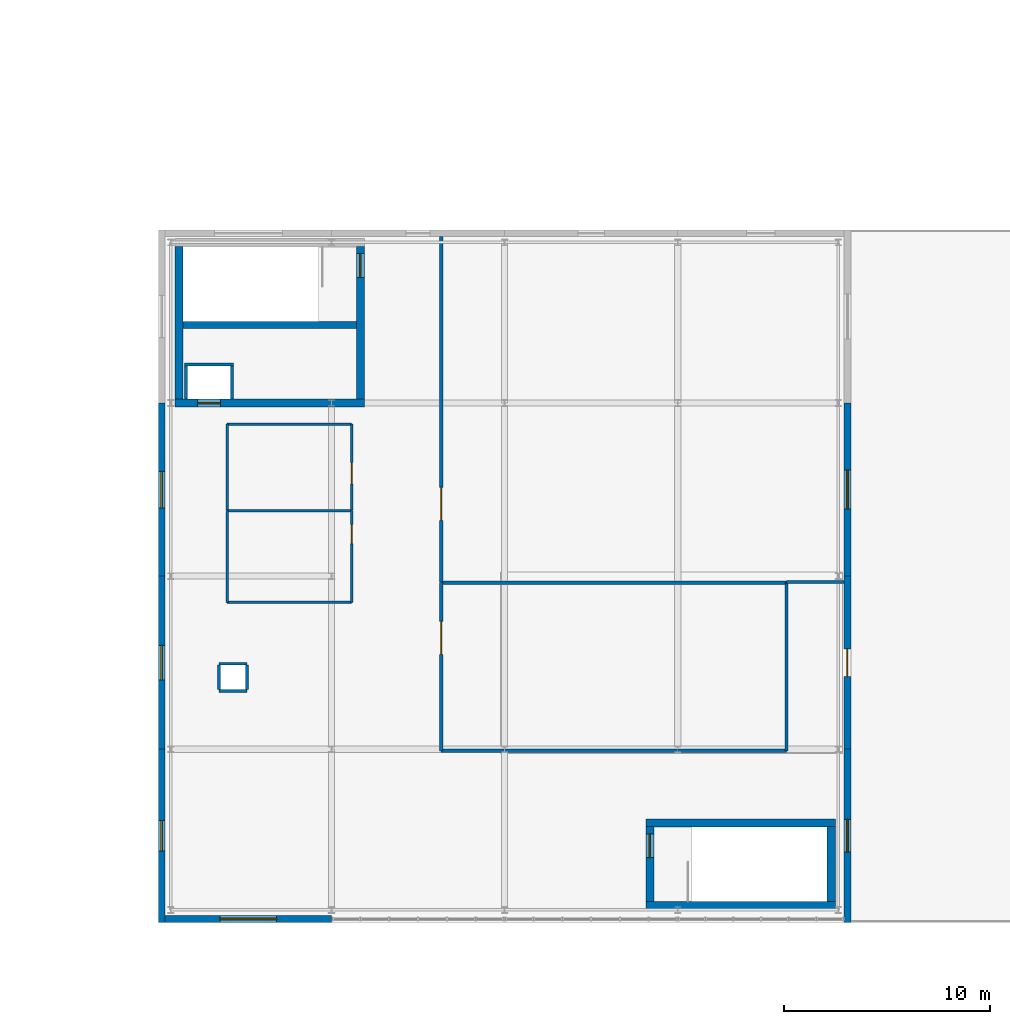
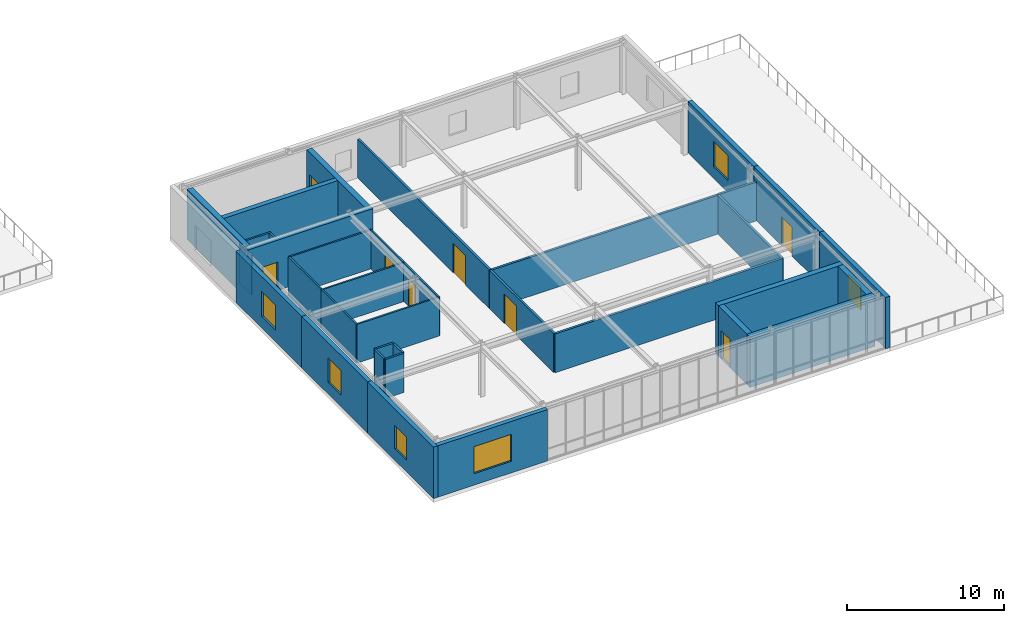
# One storey, part 111 of 127: 35 walls, 8 doors, 6 windows, 14 openings.
"""IFC4 building model written with IfcOpenShell, lengths in metres."""

from ifc_helpers import new_model, si_unit, direction, frame, frame_2d, origin, place, context, subcontext, project, spatial, rectangle, extrude, material, layer, layer_set, type_object, element, fill, save


model = new_model("IFC4")

# Units and contexts
model_context = context("Model", 3, precision=1e-05, world=origin(), true_north=direction((0.0, 1.0)))
body_context = subcontext(model_context, "Body", "Model", "MODEL_VIEW")
ifc_project = project(units=[si_unit("LENGTHUNIT", "METRE"), si_unit("AREAUNIT", "SQUARE_METRE"), si_unit("VOLUMEUNIT", "CUBIC_METRE"), si_unit("PLANEANGLEUNIT", "RADIAN"), si_unit("MASSUNIT", "GRAM", prefix="KILO")], contexts=[model_context])

# Site, building, storey
site_placement = place(None, origin())
site = spatial("IfcSite", under=ifc_project, at=site_placement, CompositionType="ELEMENT")
building_placement = place(site_placement, origin())
building = spatial("IfcBuilding", under=site, at=building_placement, Name="Zayran Congress Hotel", CompositionType="ELEMENT")
storey_placement = place(building_placement, frame((0.0, 0.0, 10.800048828125)))
storey = spatial("IfcBuildingStorey", under=building, at=storey_placement, Name="L02", CompositionType="ELEMENT", Elevation=10.800048828125)

# Wall, opening, window
ifc_material_1 = material(Name="Ajlun white limestone and insulated concrete C32/40", Category="masonry")
ifc_layer_1 = layer(ifc_material_1, 0.320068359375)
ifc_layer_set_1 = layer_set([ifc_layer_1], Name="Ajlun white limestone and insulated concrete C32/40")
wall_type_1 = type_object("IfcWallType", Name="WL-EX-320", PredefinedType="SOLIDWALL", material=ifc_layer_set_1)
wall_1_placement = place(storey_placement, frame((159.60009765625, 8.9599609375, 0.0), z_axis=(0.0, 0.0, 1.0), x_axis=(-1.0, 0.0, 0.0)))
wall_1 = element("IfcWall", 1, at=wall_1_placement, inside=storey, type_object=wall_type_1, Name="EW-V3-S-L02-0", PredefinedType="SOLIDWALL", context=body_context, shape_type="SweptSolid", body=[
    extrude(rectangle(XDim=8.080078125, YDim=0.320068359375, at=frame_2d((4.0400390625, 0.0))), origin(), (0.0, 0.0, 1.0), 4.0),
])
opening_1_placement = place(wall_1_placement, frame((2.6650390625, 0.0, 0.89990234375)))
opening_1 = element("IfcOpeningElement", 2, at=opening_1_placement, cuts=wall_1, Name="Opening WN-29", PredefinedType="OPENING", context=body_context, shape_type="SweptSolid", body=[
    extrude(rectangle(XDim=2.75, YDim=2.10009765625, at=frame_2d((1.375, 1.050048828125))), frame((0.0, 0.169921875, 0.0), z_axis=(0.0, -1.0, 0.0), x_axis=(1.0, 0.0, 0.0)), (0.0, 0.0, 1.0), 0.340087890625),
])
ifc_material_2 = material(Name="Anodised aluminium and low-E insulated glass", Category="aluminium")
window_type_1 = type_object("IfcWindowType", Name="TP-WN-29", PartitioningType="TRIPLE_PANEL_VERTICAL", PredefinedType="WINDOW", material=ifc_material_2)
window_1_placement = place(opening_1_placement, origin())
window_1 = element("IfcWindow", 3, at=window_1_placement, inside=storey, type_object=window_type_1, Name="WIN-V3-0086", OverallHeight=2.10009765625, OverallWidth=2.75, PartitioningType="SINGLE_PANEL", PredefinedType="WINDOW", context=body_context, shape_type="SweptSolid", body=[
    extrude(rectangle(XDim=2.75, YDim=2.10009765625, at=frame_2d((1.375, 1.050048828125))), frame((0.0, 0.030029296875, 0.0), z_axis=(0.0, -1.0, 0.0), x_axis=(1.0, 0.0, 0.0)), (0.0, 0.0, 1.0), 0.06005859375),
])
fill(opening_1, window_1)

wall_2_placement = place(storey_placement, frame((151.360107421875, 8.800048828125, 0.0), z_axis=(0.0, 0.0, 1.0), x_axis=(0.0, 1.0, 0.0)))
wall_2 = element("IfcWall", 4, at=wall_2_placement, inside=storey, type_object=wall_type_1, Name="EW-V3-W-L02-0", PredefinedType="SOLIDWALL", context=body_context, shape_type="SweptSolid", body=[
    extrude(rectangle(XDim=8.39990234375, YDim=0.320068359375, at=frame_2d((4.199951171875, 0.0))), origin(), (0.0, 0.0, 1.0), 4.0),
])
opening_2_placement = place(wall_2_placement, frame((3.4599609375, 0.0, 0.89990234375)))
opening_2 = element("IfcOpeningElement", 5, at=opening_2_placement, cuts=wall_2, Name="Opening WN-34", PredefinedType="OPENING", context=body_context, shape_type="SweptSolid", body=[
    extrude(rectangle(XDim=1.47998046875, YDim=1.800048828125, at=frame_2d((0.739990234375, 0.89990234375))), frame((0.0, 0.169921875, 0.0), z_axis=(0.0, -1.0, 0.0), x_axis=(1.0, 0.0, 0.0)), (0.0, 0.0, 1.0), 0.340087890625),
])
window_type_2 = type_object("IfcWindowType", Name="TP-WN-34", PartitioningType="SINGLE_PANEL", PredefinedType="WINDOW", material=ifc_material_2)
window_2_placement = place(opening_2_placement, origin())
window_2 = element("IfcWindow", 6, at=window_2_placement, inside=storey, type_object=window_type_2, Name="WIN-V3-0091", OverallHeight=1.800048828125, OverallWidth=1.47998046875, PartitioningType="SINGLE_PANEL", PredefinedType="WINDOW", context=body_context, shape_type="SweptSolid", body=[
    extrude(rectangle(XDim=1.47998046875, YDim=1.800048828125, at=frame_2d((0.739990234375, 0.89990234375))), frame((0.0, 0.030029296875, 0.0), z_axis=(0.0, -1.0, 0.0), x_axis=(1.0, 0.0, 0.0)), (0.0, 0.0, 1.0), 0.06005859375),
])
fill(opening_2, window_2)

wall_3_placement = place(storey_placement, frame((184.639892578125, 17.199951171875, 0.0), z_axis=(0.0, 0.0, 1.0), x_axis=(0.0, -1.0, 0.0)))
wall_3 = element("IfcWall", 7, at=wall_3_placement, inside=storey, type_object=wall_type_1, Name="EW-V3-E-L02-0", PredefinedType="SOLIDWALL", context=body_context, shape_type="SweptSolid", body=[
    extrude(rectangle(XDim=8.39990234375, YDim=0.320068359375, at=frame_2d((4.199951171875, 0.0))), origin(), (0.0, 0.0, 1.0), 4.0),
])
opening_3_placement = place(wall_3_placement, frame((3.409912109375, 0.0, 0.89990234375)))
opening_3 = element("IfcOpeningElement", 8, at=opening_3_placement, cuts=wall_3, Name="Opening WN-35", PredefinedType="OPENING", context=body_context, shape_type="SweptSolid", body=[
    extrude(rectangle(XDim=1.580078125, YDim=1.85009765625, at=frame_2d((0.7900390625, 0.925048828125))), frame((0.0, 0.169921875, 0.0), z_axis=(0.0, -1.0, 0.0), x_axis=(1.0, 0.0, 0.0)), (0.0, 0.0, 1.0), 0.340087890625),
])
window_type_3 = type_object("IfcWindowType", Name="TP-WN-35", PartitioningType="DOUBLE_PANEL_VERTICAL", PredefinedType="WINDOW", material=ifc_material_2)
window_3_placement = place(opening_3_placement, origin())
window_3 = element("IfcWindow", 9, at=window_3_placement, inside=storey, type_object=window_type_3, Name="WIN-V3-0092", OverallHeight=1.85009765625, OverallWidth=1.580078125, PartitioningType="SINGLE_PANEL", PredefinedType="WINDOW", context=body_context, shape_type="SweptSolid", body=[
    extrude(rectangle(XDim=1.580078125, YDim=1.85009765625, at=frame_2d((0.7900390625, 0.925048828125))), frame((0.0, 0.030029296875, 0.0), z_axis=(0.0, -1.0, 0.0), x_axis=(1.0, 0.0, 0.0)), (0.0, 0.0, 1.0), 0.06005859375),
])
fill(opening_3, window_3)

wall_4_placement = place(storey_placement, frame((151.360107421875, 17.199951171875, 0.0), z_axis=(0.0, 0.0, 1.0), x_axis=(0.0, 1.0, 0.0)))
wall_4 = element("IfcWall", 10, at=wall_4_placement, inside=storey, type_object=wall_type_1, Name="EW-V3-W-L02-1", PredefinedType="SOLIDWALL", context=body_context, shape_type="SweptSolid", body=[
    extrude(rectangle(XDim=8.400146484375, YDim=0.320068359375, at=frame_2d((4.2001953125, 0.0))), origin(), (0.0, 0.0, 1.0), 4.0),
])
opening_4_placement = place(wall_4_placement, frame((3.360107421875, 0.0, 0.89990234375)))
opening_4 = element("IfcOpeningElement", 11, at=opening_4_placement, cuts=wall_4, Name="Opening WN-36", PredefinedType="OPENING", context=body_context, shape_type="SweptSolid", body=[
    extrude(rectangle(XDim=1.679931640625, YDim=1.89990234375, at=frame_2d((0.83984375, 0.949951171875))), frame((0.0, 0.169921875, 0.0), z_axis=(0.0, -1.0, 0.0), x_axis=(1.0, 0.0, 0.0)), (0.0, 0.0, 1.0), 0.340087890625),
])
window_type_4 = type_object("IfcWindowType", Name="TP-WN-36", PartitioningType="DOUBLE_PANEL_VERTICAL", PredefinedType="WINDOW", material=ifc_material_2)
window_4_placement = place(opening_4_placement, origin())
window_4 = element("IfcWindow", 12, at=window_4_placement, inside=storey, type_object=window_type_4, Name="WIN-V3-0093", OverallHeight=1.89990234375, OverallWidth=1.679931640625, PartitioningType="SINGLE_PANEL", PredefinedType="WINDOW", context=body_context, shape_type="SweptSolid", body=[
    extrude(rectangle(XDim=1.679931640625, YDim=1.89990234375, at=frame_2d((0.83984375, 0.949951171875))), frame((0.0, 0.030029296875, 0.0), z_axis=(0.0, -1.0, 0.0), x_axis=(1.0, 0.0, 0.0)), (0.0, 0.0, 1.0), 0.06005859375),
])
fill(opening_4, window_4)

# Wall, opening, door
wall_5_placement = place(storey_placement, frame((184.639892578125, 25.60009765625, 0.0), z_axis=(0.0, 0.0, 1.0), x_axis=(0.0, -1.0, 0.0)))
wall_5 = element("IfcWall", 13, at=wall_5_placement, inside=storey, type_object=wall_type_1, Name="EW-V3-E-L02-1", PredefinedType="SOLIDWALL", context=body_context, shape_type="SweptSolid", body=[
    extrude(rectangle(XDim=8.400146484375, YDim=0.320068359375, at=frame_2d((4.2001953125, 0.0))), origin(), (0.0, 0.0, 1.0), 4.0),
])
opening_5_placement = place(wall_5_placement, frame((3.52490234375, 0.0, 0.0)))
opening_5 = element("IfcOpeningElement", 14, at=opening_5_placement, cuts=wall_5, Name="Opening DEX-05", PredefinedType="OPENING", context=body_context, shape_type="SweptSolid", body=[
    extrude(rectangle(XDim=1.35009765625, YDim=2.25, at=frame_2d((0.675048828125, 1.125))), frame((0.0, 0.169921875, 0.0), z_axis=(0.0, -1.0, 0.0), x_axis=(1.0, 0.0, 0.0)), (0.0, 0.0, 1.0), 0.340087890625),
])
ifc_material_3 = material(Name="Anodised aluminium terrace door", Category="aluminium")
door_type_1 = type_object("IfcDoorType", Name="TP-DEX-05", OperationType="DOUBLE_DOOR_SINGLE_SWING", PredefinedType="DOOR", material=ifc_material_3)
door_1_placement = place(opening_5_placement, origin())
door_1 = element("IfcDoor", 15, at=door_1_placement, inside=storey, type_object=door_type_1, Name="V3 L02 Roof Terrace Door", OperationType="DOUBLE_DOOR_SINGLE_SWING", OverallHeight=2.25, OverallWidth=1.35009765625, PredefinedType="DOOR", context=body_context, shape_type="SweptSolid", body=[
    extrude(rectangle(XDim=1.35009765625, YDim=2.25, at=frame_2d((0.675048828125, 1.125))), frame((0.0, 0.02490234375, 0.0), z_axis=(0.0, -1.0, 0.0), x_axis=(1.0, 0.0, 0.0)), (0.0, 0.0, 1.0), 0.050048828125),
])
fill(opening_5, door_1)

# Wall, opening, window
wall_6_placement = place(storey_placement, frame((151.360107421875, 25.60009765625, 0.0), z_axis=(0.0, 0.0, 1.0), x_axis=(0.0, 1.0, 0.0)))
wall_6 = element("IfcWall", 16, at=wall_6_placement, inside=storey, type_object=wall_type_1, Name="EW-V3-W-L02-2", PredefinedType="SOLIDWALL", context=body_context, shape_type="SweptSolid", body=[
    extrude(rectangle(XDim=8.39990234375, YDim=0.320068359375, at=frame_2d((4.199951171875, 0.0))), origin(), (0.0, 0.0, 1.0), 4.0),
])
opening_6_placement = place(wall_6_placement, frame((3.31005859375, 0.0, 0.89990234375)))
opening_6 = element("IfcOpeningElement", 17, at=opening_6_placement, cuts=wall_6, Name="Opening WN-37", PredefinedType="OPENING", context=body_context, shape_type="SweptSolid", body=[
    extrude(rectangle(XDim=1.780029296875, YDim=1.949951171875, at=frame_2d((0.89013671875, 0.97509765625))), frame((0.0, 0.169921875, 0.0), z_axis=(0.0, -1.0, 0.0), x_axis=(1.0, 0.0, 0.0)), (0.0, 0.0, 1.0), 0.340087890625),
])
window_type_5 = type_object("IfcWindowType", Name="TP-WN-37", PartitioningType="DOUBLE_PANEL_VERTICAL", PredefinedType="WINDOW", material=ifc_material_2)
window_5_placement = place(opening_6_placement, origin())
window_5 = element("IfcWindow", 18, at=window_5_placement, inside=storey, type_object=window_type_5, Name="WIN-V3-0095", OverallHeight=1.949951171875, OverallWidth=1.780029296875, PartitioningType="SINGLE_PANEL", PredefinedType="WINDOW", context=body_context, shape_type="SweptSolid", body=[
    extrude(rectangle(XDim=1.780029296875, YDim=1.949951171875, at=frame_2d((0.89013671875, 0.97509765625))), frame((0.0, 0.030029296875, 0.0), z_axis=(0.0, -1.0, 0.0), x_axis=(1.0, 0.0, 0.0)), (0.0, 0.0, 1.0), 0.06005859375),
])
fill(opening_6, window_5)

wall_7_placement = place(storey_placement, frame((184.639892578125, 34.0, 0.0), z_axis=(0.0, 0.0, 1.0), x_axis=(0.0, -1.0, 0.0)))
wall_7 = element("IfcWall", 19, at=wall_7_placement, inside=storey, type_object=wall_type_1, Name="EW-V3-E-L02-2", PredefinedType="SOLIDWALL", context=body_context, shape_type="SweptSolid", body=[
    extrude(rectangle(XDim=8.39990234375, YDim=0.320068359375, at=frame_2d((4.199951171875, 0.0))), origin(), (0.0, 0.0, 1.0), 4.0),
])
opening_7_placement = place(wall_7_placement, frame((3.260009765625, 0.0, 0.89990234375)))
opening_7 = element("IfcOpeningElement", 20, at=opening_7_placement, cuts=wall_7, Name="Opening WN-38", PredefinedType="OPENING", context=body_context, shape_type="SweptSolid", body=[
    extrude(rectangle(XDim=1.8798828125, YDim=1.949951171875, at=frame_2d((0.93994140625, 0.97509765625))), frame((0.0, 0.169921875, 0.0), z_axis=(0.0, -1.0, 0.0), x_axis=(1.0, 0.0, 0.0)), (0.0, 0.0, 1.0), 0.340087890625),
])
window_type_6 = type_object("IfcWindowType", Name="TP-WN-38", PartitioningType="DOUBLE_PANEL_VERTICAL", PredefinedType="WINDOW", material=ifc_material_2)
window_6_placement = place(opening_7_placement, origin())
window_6 = element("IfcWindow", 21, at=window_6_placement, inside=storey, type_object=window_type_6, Name="WIN-V3-0096", OverallHeight=1.949951171875, OverallWidth=1.8798828125, PartitioningType="SINGLE_PANEL", PredefinedType="WINDOW", context=body_context, shape_type="SweptSolid", body=[
    extrude(rectangle(XDim=1.8798828125, YDim=1.949951171875, at=frame_2d((0.93994140625, 0.97509765625))), frame((0.0, 0.030029296875, 0.0), z_axis=(0.0, -1.0, 0.0), x_axis=(1.0, 0.0, 0.0)), (0.0, 0.0, 1.0), 0.06005859375),
])
fill(opening_7, window_6)

# Wall, opening, door
ifc_material_4 = material(Name="Concrete C40/50", Category="concrete")
ifc_layer_2 = layer(ifc_material_4, 0.39990234375)
ifc_layer_set_2 = layer_set([ifc_layer_2], Name="Concrete C40/50")
wall_type_2 = type_object("IfcWallType", Name="WL-SH-400", PredefinedType="SHEAR", material=ifc_layer_set_2)
wall_8_placement = place(storey_placement, frame((152.0, 34.0, 0.0), z_axis=(0.0, 0.0, 1.0), x_axis=(1.0, 0.0, 0.0)))
wall_8 = element("IfcWall", 22, at=wall_8_placement, inside=storey, type_object=wall_type_2, Name="CWALL-C-V3W-L02-S", PredefinedType="SHEAR", context=body_context, shape_type="SweptSolid", body=[
    extrude(rectangle(XDim=9.199951171875, YDim=0.39990234375, at=frame_2d((4.60009765625, 0.0))), origin(), (0.0, 0.0, 1.0), 3.919921875),
])
opening_8_placement = place(wall_8_placement, frame((1.10009765625, 0.0, 0.0)))
opening_8 = element("IfcOpeningElement", 23, at=opening_8_placement, cuts=wall_8, Name="Opening LD-PL08", PredefinedType="OPENING", context=body_context, shape_type="SweptSolid", body=[
    extrude(rectangle(XDim=1.10009765625, YDim=2.199951171875, at=frame_2d((0.550048828125, 1.10009765625))), frame((0.0, 0.2099609375, 0.0), z_axis=(0.0, -1.0, 0.0), x_axis=(1.0, 0.0, 0.0)), (0.0, 0.0, 1.0), 0.419921875),
])
ifc_material_5 = material(Name="Brushed stainless steel sliding lift landing door", Category="steel")
door_type_2 = type_object("IfcDoorType", Name="TP-DR-LD-01", OperationType="DOUBLE_DOOR_SLIDING", PredefinedType="DOOR", material=ifc_material_5)
door_2_placement = place(opening_8_placement, origin())
door_2 = element("IfcDoor", 24, at=door_2_placement, inside=storey, type_object=door_type_2, Name="Lift PL-08 Sliding Landing Door L02", OperationType="DOUBLE_DOOR_SLIDING", OverallHeight=2.199951171875, OverallWidth=1.10009765625, PredefinedType="DOOR", context=body_context, shape_type="SweptSolid", body=[
    extrude(rectangle(XDim=1.10009765625, YDim=2.199951171875, at=frame_2d((0.550048828125, 1.10009765625))), frame((0.0, 0.02490234375, 0.0), z_axis=(0.0, -1.0, 0.0), x_axis=(1.0, 0.0, 0.0)), (0.0, 0.0, 1.0), 0.050048828125),
])
fill(opening_8, door_2)

# Wall
wall_9_placement = place(storey_placement, frame((152.199951171875, 41.60009765625, 0.0), z_axis=(0.0, 0.0, 1.0), x_axis=(0.0, -1.0, 0.0)))
element("IfcWall", 25, at=wall_9_placement, inside=storey, type_object=wall_type_2, Name="CWALL-C-V3W-L02-W", PredefinedType="SHEAR", context=body_context, shape_type="SweptSolid", body=[
    extrude(rectangle(XDim=7.400146484375, YDim=0.39990234375, at=frame_2d((3.7001953125, 0.0))), origin(), (0.0, 0.0, 1.0), 3.919921875),
])

# Wall, opening, door
wall_10_placement = place(storey_placement, frame((161.0, 34.199951171875, 0.0), z_axis=(0.0, 0.0, 1.0), x_axis=(0.0, 1.0, 0.0)))
wall_10 = element("IfcWall", 26, at=wall_10_placement, inside=storey, type_object=wall_type_2, Name="CWALL-C-V3W-L02-E", PredefinedType="SHEAR", context=body_context, shape_type="SweptSolid", body=[
    extrude(rectangle(XDim=7.400146484375, YDim=0.39990234375, at=frame_2d((3.7001953125, 0.0))), origin(), (0.0, 0.0, 1.0), 3.919921875),
])
opening_9_placement = place(wall_10_placement, frame((5.89990234375, 0.0, 0.0)))
opening_9 = element("IfcOpeningElement", 27, at=opening_9_placement, cuts=wall_10, Name="Opening DR-FD-90", PredefinedType="OPENING", context=body_context, shape_type="SweptSolid", body=[
    extrude(rectangle(XDim=1.14990234375, YDim=2.199951171875, at=frame_2d((0.574951171875, 1.10009765625))), frame((0.0, 0.2099609375, 0.0), z_axis=(0.0, -1.0, 0.0), x_axis=(1.0, 0.0, 0.0)), (0.0, 0.0, 1.0), 0.419921875),
])
ifc_material_6 = material(Name="Painted steel fire door assembly", Category="steel")
door_type_3 = type_object("IfcDoorType", Name="TP-DR-FD-90", OperationType="NOTDEFINED", PredefinedType="DOOR", material=ifc_material_6)
door_3_placement = place(opening_9_placement, origin())
door_3 = element("IfcDoor", 28, at=door_3_placement, inside=storey, type_object=door_type_3, Name="ST-11 Exit Stair Door L02", OperationType="SINGLE_SWING_RIGHT", OverallHeight=2.199951171875, OverallWidth=1.14990234375, PredefinedType="DOOR", context=body_context, shape_type="SweptSolid", body=[
    extrude(rectangle(XDim=1.14990234375, YDim=2.199951171875, at=frame_2d((0.574951171875, 1.10009765625))), frame((0.0, 0.02490234375, 0.0), z_axis=(0.0, -1.0, 0.0), x_axis=(1.0, 0.0, 0.0)), (0.0, 0.0, 1.0), 0.050048828125),
])
fill(opening_9, door_3)

# Walls
for number, where, z_axis, x_axis, name in (
    (29, (174.85009765625, 9.60009765625, 0.0), (0.0, 0.0, 1.0), (1.0, 0.0, 0.0), "CWALL-C-V3E-L02-S"),
    (30, (184.050048828125, 13.625, 0.0), (0.0, 0.0, 1.0), (-1.0, 0.0, 0.0), "CWALL-C-V3E-L02-N"),
):
    element("IfcWall", number, at=place(storey_placement, frame(where, z_axis=z_axis, x_axis=x_axis)), inside=storey, type_object=wall_type_2, Name=name, PredefinedType="SHEAR", context=body_context, shape_type="SweptSolid", body=[
        extrude(rectangle(XDim=9.199951171875, YDim=0.39990234375, at=frame_2d((4.60009765625, 0.0))), origin(), (0.0, 0.0, 1.0), 3.919921875),
    ])

# Wall, opening, door
wall_11_placement = place(storey_placement, frame((175.050048828125, 13.43994140625, 0.0), z_axis=(0.0, 0.0, 1.0), x_axis=(0.0, -1.0, 0.0)))
wall_11 = element("IfcWall", 31, at=wall_11_placement, inside=storey, type_object=wall_type_2, Name="CWALL-C-V3E-L02-W", PredefinedType="SHEAR", context=body_context, shape_type="SweptSolid", body=[
    extrude(rectangle(XDim=3.639892578125, YDim=0.39990234375, at=frame_2d((1.81982421875, 0.0))), origin(), (0.0, 0.0, 1.0), 3.919921875),
])
opening_10_placement = place(wall_11_placement, frame((0.35009765625, 0.0, 0.0)))
opening_10 = element("IfcOpeningElement", 32, at=opening_10_placement, cuts=wall_11, Name="Opening DR-FD-90", PredefinedType="OPENING", context=body_context, shape_type="SweptSolid", body=[
    extrude(rectangle(XDim=1.14990234375, YDim=2.199951171875, at=frame_2d((0.574951171875, 1.10009765625))), frame((0.0, 0.2099609375, 0.0), z_axis=(0.0, -1.0, 0.0), x_axis=(1.0, 0.0, 0.0)), (0.0, 0.0, 1.0), 0.419921875),
])
door_4_placement = place(opening_10_placement, origin())
door_4 = element("IfcDoor", 33, at=door_4_placement, inside=storey, type_object=door_type_3, Name="ST-12 Exit Stair Door L02", OperationType="SINGLE_SWING_LEFT", OverallHeight=2.199951171875, OverallWidth=1.14990234375, PredefinedType="DOOR", context=body_context, shape_type="SweptSolid", body=[
    extrude(rectangle(XDim=1.14990234375, YDim=2.199951171875, at=frame_2d((0.574951171875, 1.10009765625))), frame((0.0, 0.02490234375, 0.0), z_axis=(0.0, -1.0, 0.0), x_axis=(1.0, 0.0, 0.0)), (0.0, 0.0, 1.0), 0.050048828125),
])
fill(opening_10, door_4)

# Walls
wall_12_placement = place(storey_placement, frame((183.85009765625, 9.800048828125, 0.0), z_axis=(0.0, 0.0, 1.0), x_axis=(0.0, 1.0, 0.0)))
element("IfcWall", 34, at=wall_12_placement, inside=storey, type_object=wall_type_2, Name="CWALL-C-V3E-L02-E", PredefinedType="SHEAR", context=body_context, shape_type="SweptSolid", body=[
    extrude(rectangle(XDim=3.639892578125, YDim=0.39990234375, at=frame_2d((1.81982421875, 0.0))), origin(), (0.0, 0.0, 1.0), 3.919921875),
])
ifc_layer_3 = layer(ifc_material_4, 0.35009765625)
ifc_layer_set_3 = layer_set([ifc_layer_3], Name="Concrete C40/50")
wall_type_3 = type_object("IfcWallType", Name="WL-SH-350", PredefinedType="SHEAR", material=ifc_layer_set_3)
wall_13_placement = place(storey_placement, frame((152.39990234375, 37.784912109375, 0.0), z_axis=(0.0, 0.0, 1.0), x_axis=(1.0, 0.0, 0.0)))
element("IfcWall", 35, at=wall_13_placement, inside=storey, type_object=wall_type_3, Name="CWALL-C-V3W-L02-SPN", PredefinedType="SHEAR", context=body_context, shape_type="SweptSolid", body=[
    extrude(rectangle(XDim=8.400146484375, YDim=0.35009765625, at=frame_2d((4.2001953125, 0.0))), origin(), (0.0, 0.0, 1.0), 3.919921875),
])

# Wall, opening, door
ifc_material_7 = material(Name="Acoustic twin-stud gypsum partition", Category="gypsum")
ifc_layer_4 = layer(ifc_material_7, 0.159912109375)
ifc_layer_set_4 = layer_set([ifc_layer_4], Name="Acoustic twin-stud gypsum partition")
wall_type_4 = type_object("IfcWallType", Name="WL-PT-160", PredefinedType="PARTITIONING", material=ifc_layer_set_4)
wall_14_placement = place(storey_placement, frame((164.919921875, 17.1201171875, 0.0), z_axis=(0.0, 0.0, 1.0), x_axis=(0.0, 1.0, 0.0)))
wall_14 = element("IfcWall", 36, at=wall_14_placement, inside=storey, type_object=wall_type_4, Name="IW-L02-0501", PredefinedType="PARTITIONING", context=body_context, shape_type="SweptSolid", body=[
    extrude(rectangle(XDim=8.159912109375, YDim=0.159912109375, at=frame_2d((4.080078125, 0.0))), origin(), (0.0, 0.0, 1.0), 3.02001953125),
])
opening_11_placement = place(wall_14_placement, frame((4.68408203125, 0.0, 0.0)))
opening_11 = element("IfcOpeningElement", 37, at=opening_11_placement, cuts=wall_14, Name="Opening DR-MT-02", PredefinedType="OPENING", context=body_context, shape_type="SweptSolid", body=[
    extrude(rectangle(XDim=1.60009765625, YDim=2.300048828125, at=frame_2d((0.800048828125, 1.14990234375))), frame((0.0, 0.08984375, 0.0), z_axis=(0.0, -1.0, 0.0), x_axis=(1.0, 0.0, 0.0)), (0.0, 0.0, 1.0), 0.179931640625),
])
ifc_material_8 = material(Name="Double acoustic timber boardroom door", Category="wood")
door_type_4 = type_object("IfcDoorType", Name="TP-DR-MT-02", OperationType="DOUBLE_DOOR_SINGLE_SWING", PredefinedType="DOOR", material=ifc_material_8)
door_5_placement = place(opening_11_placement, origin())
door_5 = element("IfcDoor", 38, at=door_5_placement, inside=storey, type_object=door_type_4, Name="Fitness Studio and Pilates Hall Door", OperationType="DOUBLE_DOOR_SINGLE_SWING", OverallHeight=2.300048828125, OverallWidth=1.60009765625, PredefinedType="DOOR", context=body_context, shape_type="SweptSolid", body=[
    extrude(rectangle(XDim=1.60009765625, YDim=2.300048828125, at=frame_2d((0.800048828125, 1.14990234375))), frame((0.0, 0.02490234375, 0.0), z_axis=(0.0, -1.0, 0.0), x_axis=(1.0, 0.0, 0.0)), (0.0, 0.0, 1.0), 0.050048828125),
])
fill(opening_11, door_5)

wall_15_placement = place(storey_placement, frame((164.919921875, 25.320068359375, 0.0), z_axis=(0.0, 0.0, 1.0), x_axis=(0.0, 1.0, 0.0)))
wall_15 = element("IfcWall", 39, at=wall_15_placement, inside=storey, type_object=wall_type_4, Name="IW-L02-0502", PredefinedType="PARTITIONING", context=body_context, shape_type="SweptSolid", body=[
    extrude(rectangle(XDim=16.760009765625, YDim=0.159912109375, at=frame_2d((8.3798828125, 0.0))), origin(), (0.0, 0.0, 1.0), 3.02001953125),
])
opening_12_placement = place(wall_15_placement, frame((2.990966796875, 0.0, 0.0)))
opening_12 = element("IfcOpeningElement", 40, at=opening_12_placement, cuts=wall_15, Name="Opening DR-MT-02", PredefinedType="OPENING", context=body_context, shape_type="SweptSolid", body=[
    extrude(rectangle(XDim=1.60009765625, YDim=2.300048828125, at=frame_2d((0.800048828125, 1.14990234375))), frame((0.0, 0.08984375, 0.0), z_axis=(0.0, -1.0, 0.0), x_axis=(1.0, 0.0, 0.0)), (0.0, 0.0, 1.0), 0.179931640625),
])
door_6_placement = place(opening_12_placement, origin())
door_6 = element("IfcDoor", 41, at=door_6_placement, inside=storey, type_object=door_type_4, Name="Thermal Relaxation Lounge Door", OperationType="DOUBLE_DOOR_SINGLE_SWING", OverallHeight=2.300048828125, OverallWidth=1.60009765625, PredefinedType="DOOR", context=body_context, shape_type="SweptSolid", body=[
    extrude(rectangle(XDim=1.60009765625, YDim=2.300048828125, at=frame_2d((0.800048828125, 1.14990234375))), frame((0.0, 0.02490234375, 0.0), z_axis=(0.0, -1.0, 0.0), x_axis=(1.0, 0.0, 0.0)), (0.0, 0.0, 1.0), 0.050048828125),
])
fill(opening_12, door_6)

# Walls
for number, where, z_axis, x_axis, name in (
    (42, (164.919921875, 17.1201171875, 0.0), (0.0, 0.0, 1.0), (1.0, 0.0, 0.0), "IW-L02-1808"),
    (43, (164.919921875, 25.280029296875, 0.0), (0.0, 0.0, 1.0), (1.0, 0.0, 0.0), "IW-L02-1809"),
):
    element("IfcWall", number, at=place(storey_placement, frame(where, z_axis=z_axis, x_axis=x_axis)), inside=storey, type_object=wall_type_4, Name=name, PredefinedType="PARTITIONING", context=body_context, shape_type="SweptSolid", body=[
        extrude(rectangle(XDim=16.760009765625, YDim=0.159912109375, at=frame_2d((8.3798828125, 0.0))), origin(), (0.0, 0.0, 1.0), 3.02001953125),
    ])
wall_16_placement = place(storey_placement, frame((181.679931640625, 17.1201171875, 0.0), z_axis=(0.0, 0.0, 1.0), x_axis=(0.0, 1.0, 0.0)))
element("IfcWall", 44, at=wall_16_placement, inside=storey, type_object=wall_type_4, Name="IW-L02-1810", PredefinedType="PARTITIONING", context=body_context, shape_type="SweptSolid", body=[
    extrude(rectangle(XDim=8.159912109375, YDim=0.159912109375, at=frame_2d((4.080078125, 0.0))), origin(), (0.0, 0.0, 1.0), 3.02001953125),
])
wall_17_placement = place(storey_placement, frame((181.679931640625, 25.320068359375, 0.0), z_axis=(0.0, 0.0, 1.0), x_axis=(1.0, 0.0, 0.0)))
element("IfcWall", 45, at=wall_17_placement, inside=storey, type_object=wall_type_4, Name="IW-L02-1811", PredefinedType="PARTITIONING", context=body_context, shape_type="SweptSolid", body=[
    extrude(rectangle(XDim=2.800048828125, YDim=0.159912109375, at=frame_2d((1.39990234375, 0.0))), origin(), (0.0, 0.0, 1.0), 3.02001953125),
])
ifc_material_9 = material(Name="Hospitality guestroom acoustic partition", Category="gypsum")
ifc_layer_5 = layer(ifc_material_9, 0.139892578125)
ifc_layer_set_5 = layer_set([ifc_layer_5], Name="Hospitality guestroom acoustic partition")
wall_type_5 = type_object("IfcWallType", Name="WL-PT-140", PredefinedType="PARTITIONING", material=ifc_layer_set_5)
for number, where, z_axis, x_axis, name in (
    (46, (152.530029296875, 34.199951171875, 0.0), (0.0, 0.0, 1.0), (0.0, 1.0, 0.0), "LSHW-C-V3W-L02-W"),
    (47, (154.77001953125, 34.199951171875, 0.0), (0.0, 0.0, 1.0), (0.0, 1.0, 0.0), "LSHW-C-V3W-L02-E"),
):
    element("IfcWall", number, at=place(storey_placement, frame(where, z_axis=z_axis, x_axis=x_axis)), inside=storey, type_object=wall_type_5, Name=name, PredefinedType="PARTITIONING", context=body_context, shape_type="SweptSolid", body=[
        extrude(rectangle(XDim=1.60009765625, YDim=0.139892578125, at=frame_2d((0.800048828125, 0.0))), origin(), (0.0, 0.0, 1.0), 3.070068359375),
    ])
wall_18_placement = place(storey_placement, frame((152.4599609375, 35.8701171875, 0.0), z_axis=(0.0, 0.0, 1.0), x_axis=(1.0, 0.0, 0.0)))
element("IfcWall", 48, at=wall_18_placement, inside=storey, type_object=wall_type_5, Name="LSHW-C-V3W-L02-N", PredefinedType="PARTITIONING", context=body_context, shape_type="SweptSolid", body=[
    extrude(rectangle(XDim=2.380126953125, YDim=0.139892578125, at=frame_2d((1.18994140625, 0.0))), origin(), (0.0, 0.0, 1.0), 3.070068359375),
])
for number, where, z_axis, x_axis, name in (
    (49, (154.1298828125, 20.030029296875, 0.0), (0.0, 0.0, 1.0), (1.0, 0.0, 0.0), "RSWL-V3-L02-014-S"),
    (50, (155.489990234375, 21.35009765625, 0.0), (0.0, 0.0, 1.0), (-1.0, 0.0, 0.0), "RSWL-V3-L02-014-N"),
):
    element("IfcWall", number, at=place(storey_placement, frame(where, z_axis=z_axis, x_axis=x_axis)), inside=storey, type_object=wall_type_5, Name=name, PredefinedType="PARTITIONING", context=body_context, shape_type="SweptSolid", body=[
        extrude(rectangle(XDim=1.360107421875, YDim=0.139892578125, at=frame_2d((0.68017578125, 0.0))), origin(), (0.0, 0.0, 1.0), 3.0400390625),
    ])
for number, where, z_axis, x_axis, name in (
    (51, (154.1298828125, 21.280029296875, 0.0), (0.0, 0.0, 1.0), (0.0, -1.0, 0.0), "RSWL-V3-L02-014-W"),
    (52, (155.489990234375, 20.10009765625, 0.0), (0.0, 0.0, 1.0), (0.0, 1.0, 0.0), "RSWL-V3-L02-014-E"),
):
    element("IfcWall", number, at=place(storey_placement, frame(where, z_axis=z_axis, x_axis=x_axis)), inside=storey, type_object=wall_type_5, Name=name, PredefinedType="PARTITIONING", context=body_context, shape_type="SweptSolid", body=[
        extrude(rectangle(XDim=1.179931640625, YDim=0.139892578125, at=frame_2d((0.58984375, 0.0))), origin(), (0.0, 0.0, 1.0), 3.0400390625),
    ])

# Wall, opening, door
ifc_material_10 = material(Name="Moisture-resistant bathroom partition", Category="gypsum")
ifc_layer_6 = layer(ifc_material_10, 0.1201171875)
ifc_layer_set_6 = layer_set([ifc_layer_6], Name="Moisture-resistant bathroom partition")
wall_type_6 = type_object("IfcWallType", Name="WL-PT-120", PredefinedType="PARTITIONING", material=ifc_layer_set_6)
wall_19_placement = place(storey_placement, frame((160.570068359375, 24.320068359375, 0.0), z_axis=(0.0, 0.0, 1.0), x_axis=(0.0, 1.0, 0.0)))
wall_19 = element("IfcWall", 53, at=wall_19_placement, inside=storey, type_object=wall_type_6, Name="IW-L02-0355", PredefinedType="PARTITIONING", context=body_context, shape_type="SweptSolid", body=[
    extrude(rectangle(XDim=4.4599609375, YDim=0.1201171875, at=frame_2d((2.22998046875, 0.0))), origin(), (0.0, 0.0, 1.0), 3.02001953125),
])
opening_13_placement = place(wall_19_placement, frame((2.860107421875, 0.0, 0.0)))
opening_13 = element("IfcOpeningElement", 54, at=opening_13_placement, cuts=wall_19, Name="Opening DR-WC-01", PredefinedType="OPENING", context=body_context, shape_type="SweptSolid", body=[
    extrude(rectangle(XDim=0.919921875, YDim=2.14990234375, at=frame_2d((0.4599609375, 1.074951171875))), frame((0.0, 0.070068359375, 0.0), z_axis=(0.0, -1.0, 0.0), x_axis=(1.0, 0.0, 0.0)), (0.0, 0.0, 1.0), 0.14013671875),
])
ifc_material_11 = material(Name="Laminated timber public washroom door", Category="wood")
door_type_5 = type_object("IfcDoorType", Name="TP-DR-WC-01", OperationType="NOTDEFINED", PredefinedType="DOOR", material=ifc_material_11)
door_7_placement = place(opening_13_placement, origin())
door_7 = element("IfcDoor", 55, at=door_7_placement, inside=storey, type_object=door_type_5, Name="Public WC L02 Wellness Door", OperationType="SINGLE_SWING_RIGHT", OverallHeight=2.14990234375, OverallWidth=0.919921875, PredefinedType="DOOR", context=body_context, shape_type="SweptSolid", body=[
    extrude(rectangle(XDim=0.919921875, YDim=2.14990234375, at=frame_2d((0.4599609375, 1.074951171875))), frame((0.0, 0.02490234375, 0.0), z_axis=(0.0, -1.0, 0.0), x_axis=(1.0, 0.0, 0.0)), (0.0, 0.0, 1.0), 0.050048828125),
])
fill(opening_13, door_7)

wall_20_placement = place(storey_placement, frame((160.570068359375, 28.820068359375, 0.0), z_axis=(0.0, 0.0, 1.0), x_axis=(0.0, 1.0, 0.0)))
wall_20 = element("IfcWall", 56, at=wall_20_placement, inside=storey, type_object=wall_type_6, Name="IW-L02-0356", PredefinedType="PARTITIONING", context=body_context, shape_type="SweptSolid", body=[
    extrude(rectangle(XDim=4.159912109375, YDim=0.1201171875, at=frame_2d((2.080078125, 0.0))), origin(), (0.0, 0.0, 1.0), 3.02001953125),
])
opening_14_placement = place(wall_20_placement, frame((1.24609375, 0.0, 0.0)))
opening_14 = element("IfcOpeningElement", 57, at=opening_14_placement, cuts=wall_20, Name="Opening DR-WC-02", PredefinedType="OPENING", context=body_context, shape_type="SweptSolid", body=[
    extrude(rectangle(XDim=1.0400390625, YDim=2.14990234375, at=frame_2d((0.52001953125, 1.074951171875))), frame((0.0, 0.070068359375, 0.0), z_axis=(0.0, -1.0, 0.0), x_axis=(1.0, 0.0, 0.0)), (0.0, 0.0, 1.0), 0.14013671875),
])
ifc_material_12 = material(Name="Accessible public washroom door", Category="steel")
door_type_6 = type_object("IfcDoorType", Name="TP-DR-WC-02", OperationType="NOTDEFINED", PredefinedType="DOOR", material=ifc_material_12)
door_8_placement = place(opening_14_placement, origin())
door_8 = element("IfcDoor", 58, at=door_8_placement, inside=storey, type_object=door_type_6, Name="Accessible WC L02 Wellness Door", OperationType="SINGLE_SWING_LEFT", OverallHeight=2.14990234375, OverallWidth=1.0400390625, PredefinedType="DOOR", context=body_context, shape_type="SweptSolid", body=[
    extrude(rectangle(XDim=1.0400390625, YDim=2.14990234375, at=frame_2d((0.52001953125, 1.074951171875))), frame((0.0, 0.02490234375, 0.0), z_axis=(0.0, -1.0, 0.0), x_axis=(1.0, 0.0, 0.0)), (0.0, 0.0, 1.0), 0.050048828125),
])
fill(opening_14, door_8)

# Walls
for number, where, z_axis, x_axis, name in (
    (59, (154.52001953125, 24.330078125, 0.0), (0.0, 0.0, 1.0), (1.0, 0.0, 0.0), "IW-L02-1573"),
    (60, (154.52001953125, 28.77001953125, 0.0), (0.0, 0.0, 1.0), (1.0, 0.0, 0.0), "IW-L02-1574"),
):
    element("IfcWall", number, at=place(storey_placement, frame(where, z_axis=z_axis, x_axis=x_axis)), inside=storey, type_object=wall_type_6, Name=name, PredefinedType="PARTITIONING", context=body_context, shape_type="SweptSolid", body=[
        extrude(rectangle(XDim=6.06005859375, YDim=0.1201171875, at=frame_2d((3.030029296875, 0.0))), origin(), (0.0, 0.0, 1.0), 3.02001953125),
    ])
wall_21_placement = place(storey_placement, frame((154.530029296875, 24.320068359375, 0.0), z_axis=(0.0, 0.0, 1.0), x_axis=(0.0, 1.0, 0.0)))
element("IfcWall", 61, at=wall_21_placement, inside=storey, type_object=wall_type_6, Name="IW-L02-1575", PredefinedType="PARTITIONING", context=body_context, shape_type="SweptSolid", body=[
    extrude(rectangle(XDim=4.4599609375, YDim=0.1201171875, at=frame_2d((2.22998046875, 0.0))), origin(), (0.0, 0.0, 1.0), 3.02001953125),
])
wall_22_placement = place(storey_placement, frame((154.52001953125, 32.969970703125, 0.0), z_axis=(0.0, 0.0, 1.0), x_axis=(1.0, 0.0, 0.0)))
element("IfcWall", 62, at=wall_22_placement, inside=storey, type_object=wall_type_6, Name="IW-L02-1576", PredefinedType="PARTITIONING", context=body_context, shape_type="SweptSolid", body=[
    extrude(rectangle(XDim=6.06005859375, YDim=0.1201171875, at=frame_2d((3.030029296875, 0.0))), origin(), (0.0, 0.0, 1.0), 3.02001953125),
])
wall_23_placement = place(storey_placement, frame((154.530029296875, 28.820068359375, 0.0), z_axis=(0.0, 0.0, 1.0), x_axis=(0.0, 1.0, 0.0)))
element("IfcWall", 63, at=wall_23_placement, inside=storey, type_object=wall_type_6, Name="IW-L02-1577", PredefinedType="PARTITIONING", context=body_context, shape_type="SweptSolid", body=[
    extrude(rectangle(XDim=4.159912109375, YDim=0.1201171875, at=frame_2d((2.080078125, 0.0))), origin(), (0.0, 0.0, 1.0), 3.02001953125),
])

save(model, "model.ifc")
